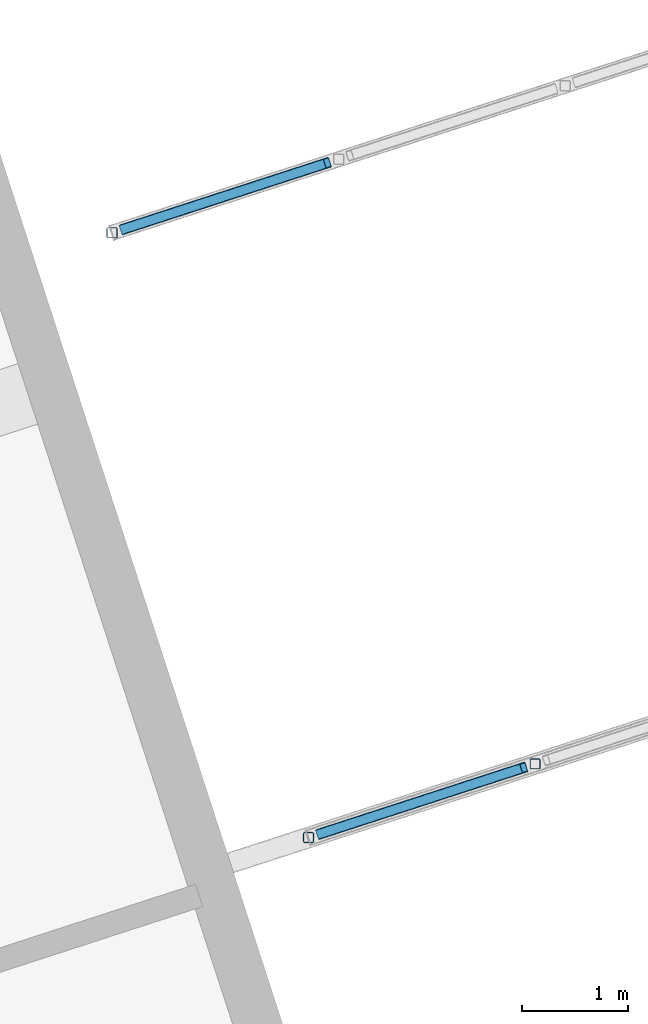
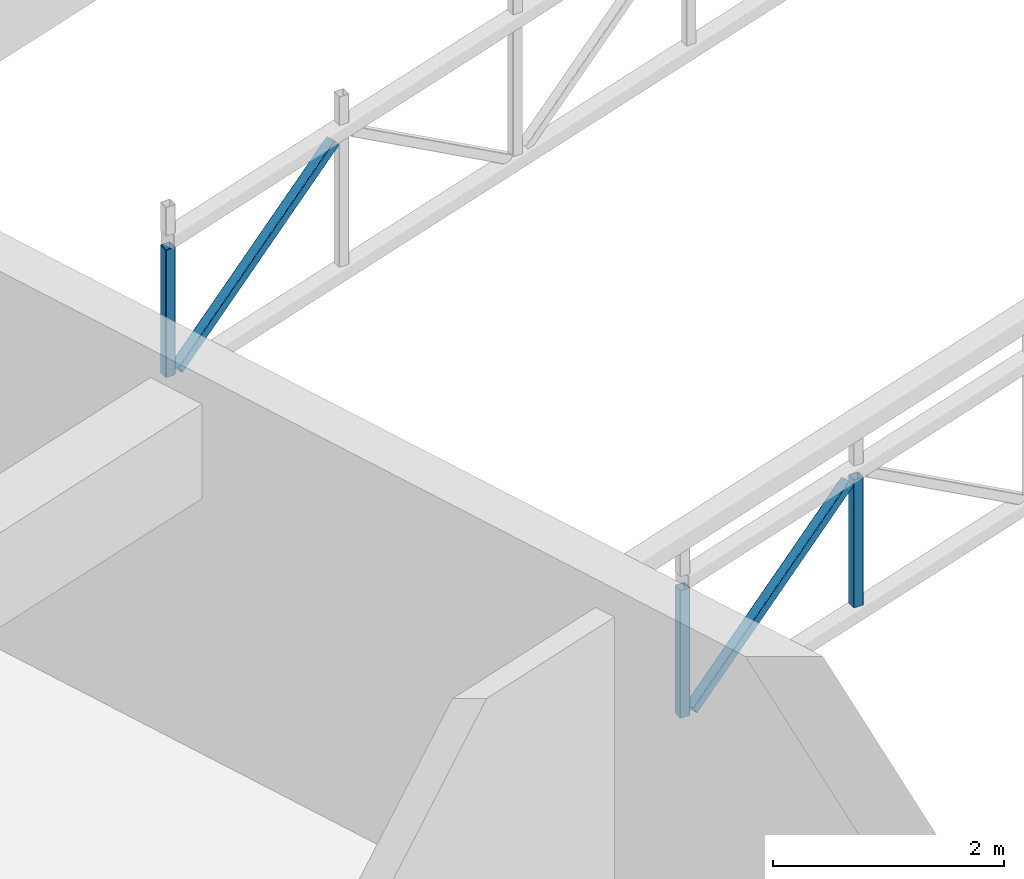
# One storey, part 7 of 81: 5 members.
"""IFC4 building model written with IfcOpenShell, lengths in metres."""

from ifc_helpers import new_model, si_unit, direction, frame, origin, origin_2d, place, context, subcontext, project, spatial, hollow_rectangle, extrude, material, material_profile, profile_set, type_object, element, save


model = new_model("IFC4")

# Units and contexts
model_context = context("Model", 3, precision=1e-05, world=origin(), true_north=direction((0.0, 1.0)))
body_context = subcontext(model_context, "Body", "Model", "MODEL_VIEW")
ifc_project = project(units=[si_unit("LENGTHUNIT", "METRE"), si_unit("AREAUNIT", "SQUARE_METRE"), si_unit("VOLUMEUNIT", "CUBIC_METRE"), si_unit("PLANEANGLEUNIT", "RADIAN"), si_unit("MASSUNIT", "GRAM", prefix="KILO")], contexts=[model_context])

# Site, building, storey
site_placement = place(None, origin())
site = spatial("IfcSite", under=ifc_project, at=site_placement, CompositionType="ELEMENT")
building_placement = place(site_placement, origin())
building = spatial("IfcBuilding", under=site, at=building_placement, Name="Tuart Plaza Theatre", CompositionType="ELEMENT")
storey_placement = place(building_placement, frame((0.0, 0.0, 17.5)))
storey = spatial("IfcBuildingStorey", under=building, at=storey_placement, Name="L04", CompositionType="ELEMENT", Elevation=17.5)

# Members
ifc_material_1 = material(Name="Steel Grade C350L0", Category="steel")
ifc_material_profile_1 = material_profile(ifc_material_1, hollow_rectangle(XDim=0.10009765625, YDim=0.10009765625, WallThickness=0.006103515625, InnerFilletRadius=0.006103515625, OuterFilletRadius=0.011962890625, at=origin_2d()), Name="100x100x6 SHS")
ifc_profile_set_1 = profile_set([ifc_material_profile_1], Name="Steel Grade C350L0")
member_type_1 = type_object("IfcMemberType", Name="MEMBER Brace 100x100x6 SHS", PredefinedType="BRACE", material=ifc_profile_set_1)
member_1_placement = place(storey_placement, frame((46.422607421875, 56.609619140625, 1.8916015625), z_axis=(0.7911105294, 0.257045682034, 0.555042023292), x_axis=(-0.309015134011, 0.951057120762, 0.0)))
element("IfcMember", 1, at=member_1_placement, inside=storey, type_object=member_type_1, Name="BR119", PredefinedType="BRACE", context=body_context, shape_type="SweptSolid", body=[
    extrude(hollow_rectangle(XDim=0.10009765625, YDim=0.10009765625, WallThickness=0.006103515625, InnerFilletRadius=0.006103515625, OuterFilletRadius=0.011962890625, at=origin_2d()), origin(), (0.0, 0.0, 1.0), 2.432373046875),
])
member_2_placement = place(storey_placement, frame((44.568603515625, 62.31591796875, 2.683837890625), z_axis=(0.791117049064, 0.257080416527, 0.5550166431), x_axis=(-0.309050599318, 0.951045596731, 0.0)))
element("IfcMember", 2, at=member_2_placement, inside=storey, type_object=member_type_1, Name="BR131", PredefinedType="BRACE", context=body_context, shape_type="SweptSolid", body=[
    extrude(hollow_rectangle(XDim=0.10009765625, YDim=0.10009765625, WallThickness=0.006103515625, InnerFilletRadius=0.006103515625, OuterFilletRadius=0.011962890625, at=origin_2d()), origin(), (0.0, 0.0, 1.0), 2.43212890625),
])
ifc_material_2 = material(Name="Steel Grade C350L0", Category="steel")
ifc_material_profile_2 = material_profile(ifc_material_2, hollow_rectangle(XDim=0.10009765625, YDim=0.10009765625, WallThickness=0.006103515625, InnerFilletRadius=0.006103515625, OuterFilletRadius=0.011962890625, at=origin_2d()), Name="100x100x6 SHS")
ifc_profile_set_2 = profile_set([ifc_material_profile_2], Name="Steel Grade C350L0")
member_type_2 = type_object("IfcMemberType", Name="MEMBER Post 100x100x6 SHS", PredefinedType="POST", material=ifc_profile_set_2)
for number, where, z_axis, x_axis, name in (
    (3, (46.31591796875, 56.574951171875, 1.8916015625), (0.0, 0.0, 1.0), (1.0, 0.0, 0.0), "PO135"),
    (4, (48.45361328125, 57.26953125, 1.8916015625), (0.0, 0.0, 1.0), (1.0, 0.0, 0.0), "PO136"),
):
    element("IfcMember", number, at=place(storey_placement, frame(where, z_axis=z_axis, x_axis=x_axis)), inside=storey, type_object=member_type_2, Name=name, PredefinedType="POST", context=body_context, shape_type="SweptSolid", body=[
        extrude(hollow_rectangle(XDim=0.10009765625, YDim=0.10009765625, WallThickness=0.006103515625, InnerFilletRadius=0.006103515625, OuterFilletRadius=0.011962890625, at=origin_2d()), origin(), (0.0, 0.0, 1.0), 1.35009765625),
    ])
member_3_placement = place(storey_placement, frame((44.461669921875, 62.28125, 2.683837890625), z_axis=(0.0, 0.0, 1.0), x_axis=(1.0, 0.0, 0.0)))
element("IfcMember", 5, at=member_3_placement, inside=storey, type_object=member_type_2, Name="PO161", PredefinedType="POST", context=body_context, shape_type="SweptSolid", body=[
    extrude(hollow_rectangle(XDim=0.10009765625, YDim=0.10009765625, WallThickness=0.006103515625, InnerFilletRadius=0.006103515625, OuterFilletRadius=0.011962890625, at=origin_2d()), origin(), (0.0, 0.0, 1.0), 1.349853515625),
])

save(model, "model.ifc")
